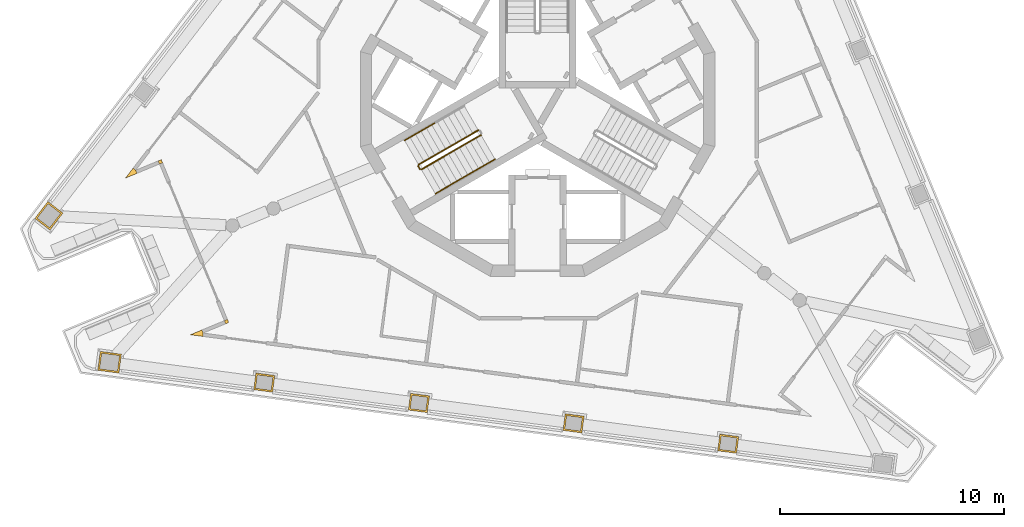
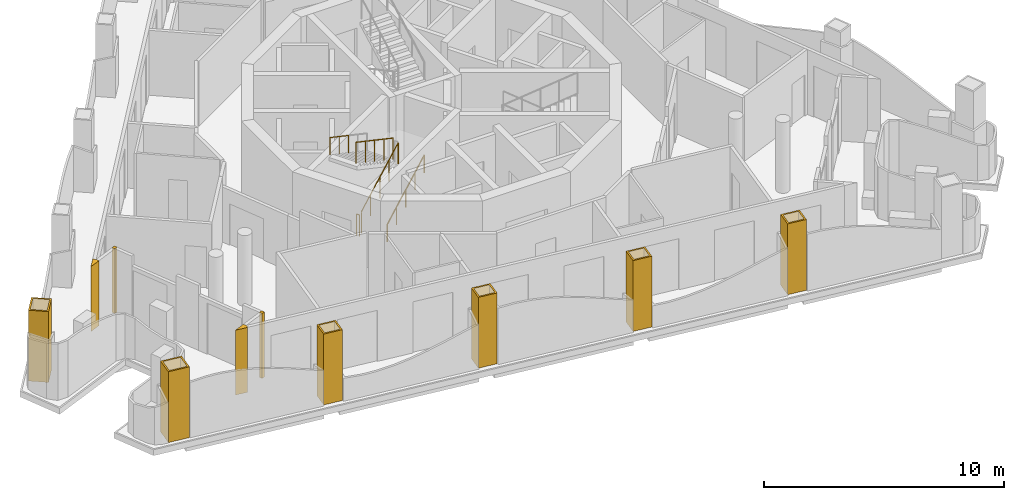
# One storey, part 7 of 12: 10 coverings, 6 railings.
"""IFC4 building model written with IfcOpenShell, lengths in metres."""

from ifc_helpers import new_model, si_unit, direction, frame, origin, origin_2d, place, context, subcontext, project, spatial, polyline, circle, outline, extrude, material, layer, layer_set, type_object, element, save


model = new_model("IFC4")

# Units and contexts
model_context = context("Model", 3, precision=1e-05, world=origin(), true_north=direction((0.0, 1.0)))
body_context = subcontext(model_context, "Body", "Model", "MODEL_VIEW")
ifc_project = project(units=[si_unit("LENGTHUNIT", "METRE"), si_unit("AREAUNIT", "SQUARE_METRE"), si_unit("VOLUMEUNIT", "CUBIC_METRE"), si_unit("PLANEANGLEUNIT", "RADIAN"), si_unit("MASSUNIT", "GRAM", prefix="KILO")], contexts=[model_context])

# Site, building, storey
site_placement = place(None, origin())
site = spatial("IfcSite", under=ifc_project, at=site_placement, CompositionType="ELEMENT")
building_placement = place(site_placement, origin())
building = spatial("IfcBuilding", under=site, at=building_placement, Name="Trine Commons Tower", CompositionType="ELEMENT")
storey_placement = place(building_placement, frame((0.0, 0.0, 293.39990234375)))
storey = spatial("IfcBuildingStorey", under=building, at=storey_placement, Name="L77", CompositionType="ELEMENT", Elevation=293.39990234375)

# Coverings
ifc_material_1 = material(Name="Aluminium-framed insulated wall panel", Category="aluminium")
ifc_layer_1 = layer(ifc_material_1, 0.14990234375)
ifc_layer_set_1 = layer_set([ifc_layer_1], Name="Aluminium-framed insulated wall panel")
covering_type_1 = type_object("IfcCoveringType", Name="Glazing corner post, aluminium", PredefinedType="CLADDING", material=ifc_layer_set_1)
covering_1_placement = place(storey_placement, origin())
element("IfcCovering", 1, at=covering_1_placement, inside=storey, type_object=covering_type_1, Name="Glazing corner post 8-01", PredefinedType="CLADDING", context=body_context, shape_type="SweptSolid", body=[
    extrude(outline(polyline([(62.0380859375, 59.324462890625), (61.919189453125, 59.416015625), (61.578369140625, 58.9716796875), (62.095458984375, 59.18603515625), (62.0380859375, 59.324462890625), (62.0380859375, 59.324462890625)])), origin(), (0.0, 0.0, 1.0), 3.300048828125),
])
covering_2_placement = place(storey_placement, origin())
element("IfcCovering", 2, at=covering_2_placement, inside=storey, type_object=covering_type_1, Name="Glazing corner post 8-10", PredefinedType="CLADDING", context=body_context, shape_type="SweptSolid", body=[
    extrude(outline(polyline([(65.033935546875, 51.895751953125), (65.0537109375, 52.04443359375), (64.99609375, 52.18310546875), (64.47900390625, 51.96875), (65.033935546875, 51.895751953125)])), origin(), (0.0, 0.0, 1.0), 3.300048828125),
])
covering_3_placement = place(storey_placement, origin())
element("IfcCovering", 3, at=covering_3_placement, inside=storey, type_object=covering_type_1, Name="Glazing corner post 8-11", PredefinedType="CLADDING", context=body_context, shape_type="SweptSolid", body=[
    extrude(outline(polyline([(66.056640625, 52.4599609375), (66.1953125, 52.517333984375), (66.137939453125, 52.65576171875), (65.999267578125, 52.598388671875), (66.056640625, 52.4599609375)])), origin(), (0.0, 0.0, 1.0), 3.300048828125),
])
covering_4_placement = place(storey_placement, origin())
element("IfcCovering", 4, at=covering_4_placement, inside=storey, type_object=covering_type_1, Name="Glazing corner post 8-12", PredefinedType="CLADDING", context=body_context, shape_type="SweptSolid", body=[
    extrude(outline(polyline([(63.041015625, 59.739990234375), (63.098388671875, 59.601318359375), (63.237060546875, 59.658935546875), (63.1796875, 59.79736328125), (63.041015625, 59.739990234375)])), origin(), (0.0, 0.0, 1.0), 3.300048828125),
])
ifc_material_2 = material(Name="Limestone, honed", Category="masonry")
ifc_layer_2 = layer(ifc_material_2, 0.074951171875)
ifc_layer_set_2 = layer_set([ifc_layer_2], Name="Limestone, honed")
covering_type_2 = type_object("IfcCoveringType", Name="Limestone column cladding 75", PredefinedType="CLADDING", material=ifc_layer_set_2)
covering_5_placement = place(storey_placement, origin())
element("IfcCovering", 5, at=covering_5_placement, inside=storey, type_object=covering_type_2, Name="Limestone pier cladding 8-02", PredefinedType="CLADDING", context=body_context, shape_type="SweptSolid", body=[
    extrude(outline(polyline([(88.1494140625, 47.526123046875), (88.051513671875, 46.78271484375), (88.89404296875, 46.671630859375), (88.991943359375, 47.415283203125), (88.1494140625, 47.526123046875)]), holes=[polyline([(88.2138671875, 47.44189453125), (88.135498046875, 46.84716796875), (88.82958984375, 46.755859375), (88.907958984375, 47.3505859375), (88.2138671875, 47.44189453125)])]), origin(), (0.0, 0.0, 1.0), 3.60009765625),
])
covering_6_placement = place(storey_placement, origin())
element("IfcCovering", 6, at=covering_6_placement, inside=storey, type_object=covering_type_2, Name="Limestone pier cladding 8-03", PredefinedType="CLADDING", context=body_context, shape_type="SweptSolid", body=[
    extrude(outline(polyline([(81.236328125, 48.436279296875), (81.138427734375, 47.692626953125), (81.981201171875, 47.581787109375), (82.0791015625, 48.3251953125), (81.236328125, 48.436279296875)]), holes=[polyline([(81.30078125, 48.35205078125), (81.222412109375, 47.75732421875), (81.91650390625, 47.666015625), (81.994873046875, 48.2607421875), (81.30078125, 48.35205078125)])]), origin(), (0.0, 0.0, 1.0), 3.60009765625),
])
covering_7_placement = place(storey_placement, origin())
element("IfcCovering", 7, at=covering_7_placement, inside=storey, type_object=covering_type_2, Name="Limestone pier cladding 8-04", PredefinedType="CLADDING", context=body_context, shape_type="SweptSolid", body=[
    extrude(outline(polyline([(74.3232421875, 49.346435546875), (74.225341796875, 48.602783203125), (75.068115234375, 48.49169921875), (75.166015625, 49.2353515625), (74.3232421875, 49.346435546875)]), holes=[polyline([(74.3876953125, 49.26220703125), (74.309326171875, 48.66748046875), (75.00341796875, 48.575927734375), (75.081787109375, 49.1708984375), (74.3876953125, 49.26220703125)])]), origin(), (0.0, 0.0, 1.0), 3.60009765625),
])
covering_8_placement = place(storey_placement, origin())
element("IfcCovering", 8, at=covering_8_placement, inside=storey, type_object=covering_type_2, Name="Limestone pier cladding 8-05", PredefinedType="CLADDING", context=body_context, shape_type="SweptSolid", body=[
    extrude(outline(polyline([(67.41015625, 50.256591796875), (67.312255859375, 49.512939453125), (68.15478515625, 49.40185546875), (68.252685546875, 50.1455078125), (67.41015625, 50.256591796875)]), holes=[polyline([(67.474609375, 50.17236328125), (67.396240234375, 49.577392578125), (68.09033203125, 49.486083984375), (68.168701171875, 50.080810546875), (67.474609375, 50.17236328125)])]), origin(), (0.0, 0.0, 1.0), 3.60009765625),
])
covering_9_placement = place(storey_placement, origin())
element("IfcCovering", 9, at=covering_9_placement, inside=storey, type_object=covering_type_2, Name="Limestone pier cladding 8-06", PredefinedType="CLADDING", context=body_context, shape_type="SweptSolid", body=[
    extrude(outline(polyline([(60.4541015625, 51.22265625), (60.343017578125, 50.3798828125), (61.284912109375, 50.255859375), (61.39599609375, 51.0986328125), (60.4541015625, 51.22265625)]), holes=[polyline([(60.5185546875, 51.138427734375), (60.42724609375, 50.444580078125), (61.220458984375, 50.340087890625), (61.311767578125, 51.0341796875), (60.5185546875, 51.138427734375)])]), origin(), (0.0, 0.0, 1.0), 3.60009765625),
])
covering_10_placement = place(storey_placement, origin())
element("IfcCovering", 10, at=covering_10_placement, inside=storey, type_object=covering_type_2, Name="Limestone pier cladding 8-07", PredefinedType="CLADDING", context=body_context, shape_type="SweptSolid", body=[
    extrude(outline(polyline([(58.782958984375, 57.40673828125), (58.108642578125, 57.92431640625), (57.5302734375, 57.170654296875), (58.20458984375, 56.653076171875), (58.782958984375, 57.40673828125)]), holes=[polyline([(58.677734375, 57.39306640625), (58.122314453125, 57.819091796875), (57.635498046875, 57.184326171875), (58.19091796875, 56.75830078125), (58.677734375, 57.39306640625)])]), origin(), (0.0, 0.0, 1.0), 3.60009765625),
])

# Railings
ifc_material_3 = material(Name="Stainless steel balustrade", Category="steel")
railing_type_1 = type_object("IfcRailingType", Name="Stair guard, steel balustrade 1100", PredefinedType="GUARDRAIL", material=ifc_material_3)
railing_1_placement = place(storey_placement, frame((74.80517578125, 59.3564453125, 0.150146484375)))
element("IfcRailing", 11, at=railing_1_placement, inside=storey, type_object=railing_type_1, Name="L77 ST2D stair guard 1", PredefinedType="GUARDRAIL", context=body_context, shape_type="SweptSolid", body=[
    extrude(circle(Radius=0.02392578125, at=origin_2d()), frame((0.0, 0.0, 1.076171875), z_axis=(0.76340495495, 0.440743040072, 0.472184759798), x_axis=(-0.499992328818, 0.866029832698, 0.0)), (0.0, 0.0, 1.0), 3.494140625),
    extrude(circle(Radius=0.02099609375, at=origin_2d()), origin(), (0.0, 0.0, 1.0), 1.052001953125),
    extrude(circle(Radius=0.02099609375, at=origin_2d()), frame((0.6669921875, 0.385009765625, 0.41259765625)), (0.0, 0.0, 1.0), 1.052001953125),
    extrude(circle(Radius=0.02099609375, at=origin_2d()), frame((1.333740234375, 0.77001953125, 0.824951171875)), (0.0, 0.0, 1.0), 1.052001953125),
    extrude(circle(Radius=0.02099609375, at=origin_2d()), frame((2.00048828125, 1.155029296875, 1.2373046875)), (0.0, 0.0, 1.0), 1.052001953125),
    extrude(circle(Radius=0.02099609375, at=origin_2d()), frame((2.66748046875, 1.5400390625, 1.64990234375)), (0.0, 0.0, 1.0), 1.052001953125),
])
railing_2_placement = place(storey_placement, frame((77.34765625, 61.113037109375, 1.9501953125)))
element("IfcRailing", 12, at=railing_2_placement, inside=storey, type_object=railing_type_1, Name="L77 ST2D stair guard 3", PredefinedType="GUARDRAIL", context=body_context, shape_type="SweptSolid", body=[
    extrude(circle(Radius=0.02392578125, at=origin_2d()), frame((0.0, 0.0, 1.076171875), z_axis=(-0.76340495495, -0.440743040072, 0.472184759798), x_axis=(0.499992328818, -0.866029832698, 0.0)), (0.0, 0.0, 1.0), 3.494140625),
    extrude(circle(Radius=0.02099609375, at=origin_2d()), origin(), (0.0, 0.0, 1.0), 1.052001953125),
    extrude(circle(Radius=0.02099609375, at=origin_2d()), frame((-0.6669921875, -0.385009765625, 0.41259765625)), (0.0, 0.0, 1.0), 1.052001953125),
    extrude(circle(Radius=0.02099609375, at=origin_2d()), frame((-1.333740234375, -0.77001953125, 0.824951171875)), (0.0, 0.0, 1.0), 1.052001953125),
    extrude(circle(Radius=0.02099609375, at=origin_2d()), frame((-2.00048828125, -1.155029296875, 1.2373046875)), (0.0, 0.0, 1.0), 1.052001953125),
    extrude(circle(Radius=0.02099609375, at=origin_2d()), frame((-2.66748046875, -1.5400390625, 1.64990234375)), (0.0, 0.0, 1.0), 1.052001953125),
])
railing_3_placement = place(storey_placement, frame((74.73681640625, 59.374755859375, 0.0)))
element("IfcRailing", 13, at=railing_3_placement, inside=storey, type_object=railing_type_1, Name="L77 ST2D stair guard 4", PredefinedType="GUARDRAIL", context=body_context, shape_type="SweptSolid", body=[
    extrude(circle(Radius=0.02392578125, at=origin_2d()), frame((0.0, 0.0, 1.076171875), z_axis=(-0.499816412211, 0.866131372301, 0.0), x_axis=(-0.866131372301, -0.499816412211, 0.0)), (0.0, 0.0, 1.0), 0.14990234375),
    extrude(circle(Radius=0.02099609375, at=origin_2d()), origin(), (0.0, 0.0, 1.0), 1.052001953125),
    extrude(circle(Radius=0.02099609375, at=origin_2d()), frame((-0.074951171875, 0.1298828125, 0.0)), (0.0, 0.0, 1.0), 1.052001953125),
])
ifc_material_4 = material(Name="Stainless steel handrail", Category="steel")
railing_type_2 = type_object("IfcRailingType", Name="Stair handrail, steel 900", PredefinedType="HANDRAIL", material=ifc_material_4)
for number, where, name in (
    (14, (75.43017578125, 58.27392578125, 0.150146484375), "L77 ST2D stair handrail 1"),
    (15, (76.763916015625, 59.0439453125, 0.97509765625), "L77 ST2D stair handrail 2"),
):
    element("IfcRailing", number, at=place(storey_placement, frame(where)), inside=storey, type_object=railing_type_2, Name=name, PredefinedType="HANDRAIL", context=body_context, shape_type="SweptSolid", body=[
        extrude(circle(Radius=0.02099609375, at=origin_2d()), frame((0.0, 0.0, 0.87890625), z_axis=(0.76340495495, 0.440743040072, 0.472184759798), x_axis=(-0.499992328818, 0.866029832698, 0.0)), (0.0, 0.0, 1.0), 1.7470703125),
        extrude(circle(Radius=0.01513671875, at=origin_2d()), origin(), (0.0, 0.0, 1.0), 0.85791015625),
        extrude(circle(Radius=0.01513671875, at=origin_2d()), frame((0.6669921875, 0.385009765625, 0.41259765625)), (0.0, 0.0, 1.0), 0.85791015625),
        extrude(circle(Radius=0.01513671875, at=origin_2d()), frame((1.333740234375, 0.77001953125, 0.824951171875)), (0.0, 0.0, 1.0), 0.85791015625),
    ])
railing_4_placement = place(storey_placement, frame((75.388916015625, 61.425537109375, 2.775146484375)))
element("IfcRailing", 16, at=railing_4_placement, inside=storey, type_object=railing_type_2, Name="L77 ST2D stair handrail 4", PredefinedType="HANDRAIL", context=body_context, shape_type="SweptSolid", body=[
    extrude(circle(Radius=0.02099609375, at=origin_2d()), frame((0.0, 0.0, 0.87890625), z_axis=(-0.76340495495, -0.440743040072, 0.472184759798), x_axis=(0.499992328818, -0.866029832698, 0.0)), (0.0, 0.0, 1.0), 1.7470703125),
    extrude(circle(Radius=0.01513671875, at=origin_2d()), origin(), (0.0, 0.0, 1.0), 0.85791015625),
    extrude(circle(Radius=0.01513671875, at=origin_2d()), frame((-0.6669921875, -0.385009765625, 0.41259765625)), (0.0, 0.0, 1.0), 0.85791015625),
    extrude(circle(Radius=0.01513671875, at=origin_2d()), frame((-1.333740234375, -0.77001953125, 0.824951171875)), (0.0, 0.0, 1.0), 0.85791015625),
])

save(model, "model.ifc")
